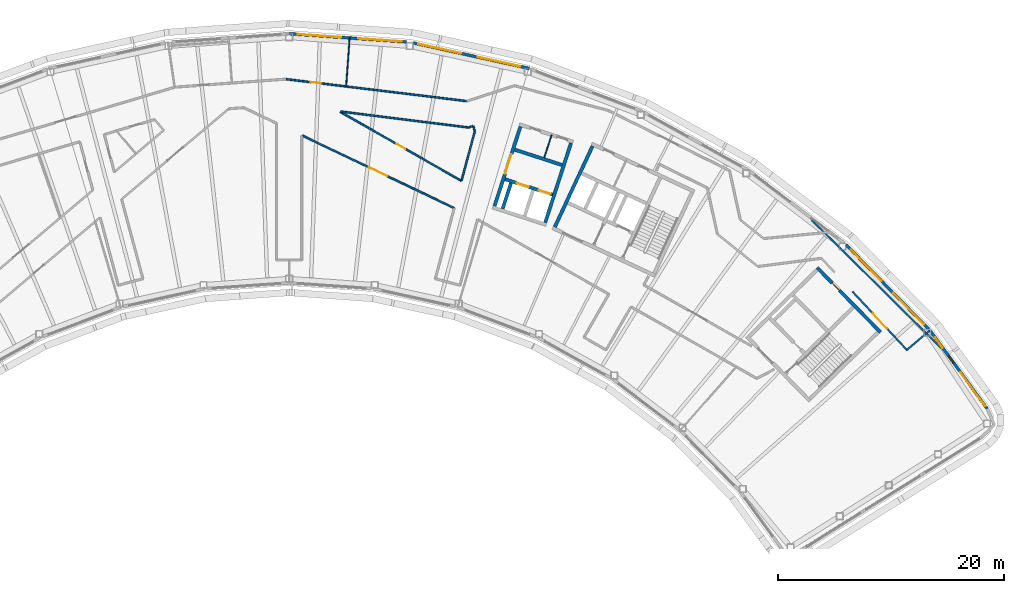
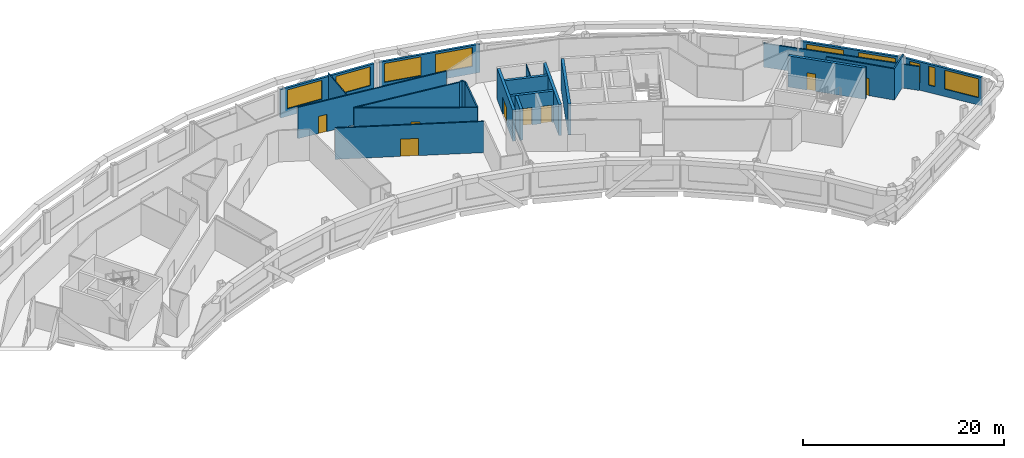
# One storey, part 9 of 17: 23 walls, 9 windows, 8 doors, 17 openings.
"""IFC4 building model written with IfcOpenShell, lengths in metres."""

from ifc_helpers import new_model, si_unit, direction, frame, frame_2d, origin, place, context, subcontext, project, spatial, rectangle, extrude, material, layer, layer_set, type_object, element, fill, save


model = new_model("IFC4")

# Units and contexts
model_context = context("Model", 3, precision=1e-05, world=origin(), true_north=direction((0.0, 1.0)))
body_context = subcontext(model_context, "Body", "Model", "MODEL_VIEW")
ifc_project = project(units=[si_unit("LENGTHUNIT", "METRE"), si_unit("AREAUNIT", "SQUARE_METRE"), si_unit("VOLUMEUNIT", "CUBIC_METRE"), si_unit("PLANEANGLEUNIT", "RADIAN"), si_unit("MASSUNIT", "GRAM", prefix="KILO")], contexts=[model_context])

# Site, building, storey
site_placement = place(None, origin())
site = spatial("IfcSite", under=ifc_project, at=site_placement, CompositionType="ELEMENT")
building_placement = place(site_placement, origin())
building = spatial("IfcBuilding", under=site, at=building_placement, Name="Tuul Gate Civic Tower", CompositionType="ELEMENT")
storey_placement = place(building_placement, frame((0.0, 0.0, 344.89990234375)))
storey = spatial("IfcBuildingStorey", under=building, at=storey_placement, Name="Level 78", CompositionType="ELEMENT", Elevation=344.89990234375)

# Wall, opening, door
ifc_material_1 = material(Name="Concrete C50/60", Category="concrete")
ifc_layer_1 = layer(ifc_material_1, 0.300048828125)
ifc_layer_set_1 = layer_set([ifc_layer_1], Name="Concrete C50/60")
wall_type_1 = type_object("IfcWallType", Name="Core wall C50/60", PredefinedType="SHEAR", material=ifc_layer_set_1)
wall_1_placement = place(storey_placement, frame((54.43798828125, -12.23779296875, 0.0), z_axis=(0.0, 0.0, 1.0), x_axis=(-0.700021979774, 0.714121297703, 0.0)))
wall_1 = element("IfcWall", 1, at=wall_1_placement, inside=storey, type_object=wall_type_1, Name="Core wall", PredefinedType="SHEAR", context=body_context, shape_type="SweptSolid", body=[
    extrude(rectangle(XDim=8.0, YDim=0.300048828125, at=frame_2d((4.0, 0.0))), origin(), (0.0, 0.0, 1.0), 3.800048828125),
])
opening_1_placement = place(wall_1_placement, frame((5.175048828125, 0.0, 0.0)))
opening_1 = element("IfcOpeningElement", 2, at=opening_1_placement, cuts=wall_1, Name="Opening AC-D20", PredefinedType="OPENING", context=body_context, shape_type="SweptSolid", body=[
    extrude(rectangle(XDim=0.89990234375, YDim=2.10009765625, at=frame_2d((0.449951171875, 1.050048828125))), frame((0.0, 0.16015625, 0.0), z_axis=(0.0, -1.0, 0.0), x_axis=(1.0, 0.0, 0.0)), (0.0, 0.0, 1.0), 0.320068359375),
])
ifc_material_2 = material(Name="Timber door leaf", Category="wood")
door_type_1 = type_object("IfcDoorType", Name="Door D09", OperationType="NOTDEFINED", PredefinedType="DOOR", material=ifc_material_2)
door_1_placement = place(opening_1_placement, origin())
door_1 = element("IfcDoor", 3, at=door_1_placement, inside=storey, type_object=door_type_1, Name="Door AC-D20", OperationType="SINGLE_SWING_LEFT", OverallHeight=2.10009765625, OverallWidth=0.89990234375, PredefinedType="DOOR", context=body_context, shape_type="SweptSolid", body=[
    extrude(rectangle(XDim=0.89990234375, YDim=2.10009765625, at=frame_2d((0.449951171875, 1.050048828125))), frame((0.0, 0.02490234375, 0.0), z_axis=(0.0, -1.0, 0.0), x_axis=(1.0, 0.0, 0.0)), (0.0, 0.0, 1.0), 0.050048828125),
])
fill(opening_1, door_1)

# Walls
wall_2_placement = place(storey_placement, frame((25.66455078125, -2.951416015625, 0.0), z_axis=(0.0, 0.0, 1.0), x_axis=(0.422582604137, 0.906324413596, 0.0)))
element("IfcWall", 4, at=wall_2_placement, inside=storey, type_object=wall_type_1, Name="Core wall", PredefinedType="SHEAR", context=body_context, shape_type="SweptSolid", body=[
    extrude(rectangle(XDim=7.89990234375, YDim=0.300048828125, at=frame_2d((3.949951171875, 0.0))), origin(), (0.0, 0.0, 1.0), 3.800048828125),
])
ifc_material_3 = material(Name="Gypsum board partition")
ifc_layer_2 = layer(ifc_material_3, 0.14990234375)
ifc_layer_set_2 = layer_set([ifc_layer_2], Name="Gypsum board partition")
wall_type_2 = type_object("IfcWallType", Name="Corridor wall P150", PredefinedType="PARTITIONING", material=ifc_layer_set_2)
wall_3_placement = place(storey_placement, frame((56.7763671875, -13.803466796875, 0.0), z_axis=(0.0, 0.0, 1.0), x_axis=(0.762693333257, 0.646760295168, 0.0)))
element("IfcWall", 5, at=wall_3_placement, inside=storey, type_object=wall_type_2, Name="p005", PredefinedType="PARTITIONING", context=body_context, shape_type="SweptSolid", body=[
    extrude(rectangle(XDim=2.674560546875, YDim=0.14990234375, at=frame_2d((1.33740234375, 0.0))), origin(), (0.0, 0.0, 1.0), 3.800048828125),
])

# Wall, opening, door
wall_4_placement = place(storey_placement, frame((1.888916015625, 10.12109375, 0.0), z_axis=(0.0, 0.0, 1.0), x_axis=(0.99270352704, -0.120580709079, 0.0)))
wall_4 = element("IfcWall", 6, at=wall_4_placement, inside=storey, type_object=wall_type_2, Name="p014", PredefinedType="PARTITIONING", context=body_context, shape_type="SweptSolid", body=[
    extrude(rectangle(XDim=16.140869140625, YDim=0.14990234375, at=frame_2d((8.0703125, 0.0))), origin(), (0.0, 0.0, 1.0), 3.800048828125),
])
opening_2_placement = place(wall_4_placement, frame((2.23974609375, 0.0, 0.0)))
opening_2 = element("IfcOpeningElement", 7, at=opening_2_placement, cuts=wall_4, Name="Opening AC-D02", PredefinedType="OPENING", context=body_context, shape_type="SweptSolid", body=[
    extrude(rectangle(XDim=0.89990234375, YDim=2.10009765625, at=frame_2d((0.449951171875, 1.050048828125))), frame((0.0, 0.0849609375, 0.0), z_axis=(0.0, -1.0, 0.0), x_axis=(1.0, 0.0, 0.0)), (0.0, 0.0, 1.0), 0.169921875),
])
door_2_placement = place(opening_2_placement, origin())
door_2 = element("IfcDoor", 8, at=door_2_placement, inside=storey, type_object=door_type_1, Name="Door AC-D02", OperationType="SINGLE_SWING_RIGHT", OverallHeight=2.10009765625, OverallWidth=0.89990234375, PredefinedType="DOOR", context=body_context, shape_type="SweptSolid", body=[
    extrude(rectangle(XDim=0.89990234375, YDim=2.10009765625, at=frame_2d((0.449951171875, 1.050048828125))), frame((0.0, 0.02490234375, 0.0), z_axis=(0.0, -1.0, 0.0), x_axis=(1.0, 0.0, 0.0)), (0.0, 0.0, 1.0), 0.050048828125),
])
fill(opening_2, door_2)

wall_5_placement = place(storey_placement, frame((51.96728515625, -8.64892578125, 0.0), z_axis=(0.0, 0.0, 1.0), x_axis=(0.681906636928, -0.731439224074, 0.0)))
wall_5 = element("IfcWall", 9, at=wall_5_placement, inside=storey, type_object=wall_type_2, Name="p030", PredefinedType="PARTITIONING", context=body_context, shape_type="SweptSolid", body=[
    extrude(rectangle(XDim=7.1025390625, YDim=0.14990234375, at=frame_2d((3.55126953125, 0.0))), origin(), (0.0, 0.0, 1.0), 3.800048828125),
])
opening_3_placement = place(wall_5_placement, frame((2.651123046875, 0.0, 0.0)))
opening_3 = element("IfcOpeningElement", 10, at=opening_3_placement, cuts=wall_5, Name="Opening AC-D05", PredefinedType="OPENING", context=body_context, shape_type="SweptSolid", body=[
    extrude(rectangle(XDim=1.800048828125, YDim=2.10009765625, at=frame_2d((0.89990234375, 1.050048828125))), frame((0.0, 0.0849609375, 0.0), z_axis=(0.0, -1.0, 0.0), x_axis=(1.0, 0.0, 0.0)), (0.0, 0.0, 1.0), 0.169921875),
])
ifc_material_4 = material(Name="Timber door leaf, double", Category="wood")
door_type_2 = type_object("IfcDoorType", Name="Door D18", OperationType="DOUBLE_DOOR_SINGLE_SWING", PredefinedType="DOOR", material=ifc_material_4)
door_3_placement = place(opening_3_placement, origin())
door_3 = element("IfcDoor", 11, at=door_3_placement, inside=storey, type_object=door_type_2, Name="Door AC-D05", OperationType="DOUBLE_DOOR_SINGLE_SWING", OverallHeight=2.10009765625, OverallWidth=1.800048828125, PredefinedType="DOOR", context=body_context, shape_type="SweptSolid", body=[
    extrude(rectangle(XDim=1.800048828125, YDim=2.10009765625, at=frame_2d((0.89990234375, 1.050048828125))), frame((0.0, 0.02490234375, 0.0), z_axis=(0.0, -1.0, 0.0), x_axis=(1.0, 0.0, 0.0)), (0.0, 0.0, 1.0), 0.050048828125),
])
fill(opening_3, door_3)

wall_6_placement = place(storey_placement, frame((3.345703125, 5.137451171875, 0.0), z_axis=(0.0, 0.0, 1.0), x_axis=(0.902564421803, -0.43055483332, 0.0)))
wall_6 = element("IfcWall", 12, at=wall_6_placement, inside=storey, type_object=wall_type_2, Name="p039", PredefinedType="PARTITIONING", context=body_context, shape_type="SweptSolid", body=[
    extrude(rectangle(XDim=14.87060546875, YDim=0.14990234375, at=frame_2d((7.435302734375, 0.0))), origin(), (0.0, 0.0, 1.0), 3.800048828125),
])
opening_4_placement = place(wall_6_placement, frame((6.535400390625, 0.0, 0.0)))
opening_4 = element("IfcOpeningElement", 13, at=opening_4_placement, cuts=wall_6, Name="Opening AC-D07", PredefinedType="OPENING", context=body_context, shape_type="SweptSolid", body=[
    extrude(rectangle(XDim=1.800048828125, YDim=2.10009765625, at=frame_2d((0.89990234375, 1.050048828125))), frame((0.0, 0.0849609375, 0.0), z_axis=(0.0, -1.0, 0.0), x_axis=(1.0, 0.0, 0.0)), (0.0, 0.0, 1.0), 0.169921875),
])
door_4_placement = place(opening_4_placement, frame((1.800048828125, 0.0, 0.0), z_axis=(0.0, 0.0, 1.0), x_axis=(-1.0, 0.0, 0.0)))
door_4 = element("IfcDoor", 14, at=door_4_placement, inside=storey, type_object=door_type_2, Name="Door AC-D07", OperationType="DOUBLE_DOOR_SINGLE_SWING", OverallHeight=2.10009765625, OverallWidth=1.800048828125, PredefinedType="DOOR", context=body_context, shape_type="SweptSolid", body=[
    extrude(rectangle(XDim=1.800048828125, YDim=2.10009765625, at=frame_2d((0.900146484375, 1.050048828125))), frame((0.0, 0.02490234375, 0.0), z_axis=(0.0, -1.0, 0.0), x_axis=(1.0, 0.0, 0.0)), (0.0, 0.0, 1.0), 0.050048828125),
])
fill(opening_4, door_4)

# Wall
wall_7_placement = place(storey_placement, frame((17.431396484375, 1.14990234375, 0.0), z_axis=(0.0, 0.0, 1.0), x_axis=(0.258796436374, 0.965931883996, 0.0)))
element("IfcWall", 15, at=wall_7_placement, inside=storey, type_object=wall_type_2, Name="p041", PredefinedType="PARTITIONING", context=body_context, shape_type="SweptSolid", body=[
    extrude(rectangle(XDim=4.515869140625, YDim=0.14990234375, at=frame_2d((2.2578125, 0.0))), origin(), (0.0, 0.0, 1.0), 3.800048828125),
])

# Wall, opening, door
wall_8_placement = place(storey_placement, frame((6.72119140625, 7.223876953125, 0.0), z_axis=(0.0, 0.0, 1.0), x_axis=(0.868880378033, -0.495022109274, 0.0)))
wall_8 = element("IfcWall", 16, at=wall_8_placement, inside=storey, type_object=wall_type_2, Name="p078", PredefinedType="PARTITIONING", context=body_context, shape_type="SweptSolid", body=[
    extrude(rectangle(XDim=12.293212890625, YDim=0.14990234375, at=frame_2d((6.146484375, 0.0))), origin(), (0.0, 0.0, 1.0), 3.800048828125),
])
opening_5_placement = place(wall_8_placement, frame((5.696533203125, 0.0, 0.0)))
opening_5 = element("IfcOpeningElement", 17, at=opening_5_placement, cuts=wall_8, Name="Opening AC-D14", PredefinedType="OPENING", context=body_context, shape_type="SweptSolid", body=[
    extrude(rectangle(XDim=0.89990234375, YDim=2.10009765625, at=frame_2d((0.449951171875, 1.050048828125))), frame((0.0, 0.0849609375, 0.0), z_axis=(0.0, -1.0, 0.0), x_axis=(1.0, 0.0, 0.0)), (0.0, 0.0, 1.0), 0.169921875),
])
door_5_placement = place(opening_5_placement, origin())
door_5 = element("IfcDoor", 18, at=door_5_placement, inside=storey, type_object=door_type_1, Name="Door AC-D14", OperationType="SINGLE_SWING_RIGHT", OverallHeight=2.10009765625, OverallWidth=0.89990234375, PredefinedType="DOOR", context=body_context, shape_type="SweptSolid", body=[
    extrude(rectangle(XDim=0.89990234375, YDim=2.10009765625, at=frame_2d((0.449951171875, 1.050048828125))), frame((0.0, 0.02490234375, 0.0), z_axis=(0.0, -1.0, 0.0), x_axis=(1.0, 0.0, 0.0)), (0.0, 0.0, 1.0), 0.050048828125),
])
fill(opening_5, door_5)

# Walls
wall_9_placement = place(storey_placement, frame((18.03515625, 5.84521484375, 0.0), z_axis=(0.0, 0.0, 1.0), x_axis=(0.950162769036, 0.311754249913, 0.0)))
element("IfcWall", 19, at=wall_9_placement, inside=storey, type_object=wall_type_2, Name="p085", PredefinedType="PARTITIONING", context=body_context, shape_type="SweptSolid", body=[
    extrude(rectangle(XDim=0.426025390625, YDim=0.14990234375, at=frame_2d((0.212890625, 0.0))), origin(), (0.0, 0.0, 1.0), 3.800048828125),
])
wall_10_placement = place(storey_placement, frame((18.465087890625, 5.96484375, 0.0), z_axis=(0.0, 0.0, 1.0), x_axis=(0.29219168789, -0.956359774106, 0.0)))
element("IfcWall", 20, at=wall_10_placement, inside=storey, type_object=wall_type_2, Name="p086", PredefinedType="PARTITIONING", context=body_context, shape_type="SweptSolid", body=[
    extrude(rectangle(XDim=0.462158203125, YDim=0.14990234375, at=frame_2d((0.23095703125, 0.0))), origin(), (0.0, 0.0, 1.0), 3.800048828125),
])
wall_11_placement = place(storey_placement, frame((6.73291015625, 7.259765625, 0.0), z_axis=(0.0, 0.0, 1.0), x_axis=(0.992257086235, -0.124200945314, 0.0)))
element("IfcWall", 21, at=wall_11_placement, inside=storey, type_object=wall_type_2, Name="p087", PredefinedType="PARTITIONING", context=body_context, shape_type="SweptSolid", body=[
    extrude(rectangle(XDim=11.38916015625, YDim=0.14990234375, at=frame_2d((5.694580078125, 0.0))), origin(), (0.0, 0.0, 1.0), 3.800048828125),
])
ifc_material_5 = material(Name="Gypsum board partition")
ifc_layer_3 = layer(ifc_material_5, 0.14990234375)
ifc_layer_set_3 = layer_set([ifc_layer_3], Name="Gypsum board partition")
wall_type_3 = type_object("IfcWallType", Name="Corridor wall P150 2900 HIGH", PredefinedType="PARTITIONING", material=ifc_layer_set_3)
wall_12_placement = place(storey_placement, frame((48.373291015625, -2.341796875, 0.0), z_axis=(0.0, 0.0, 1.0), x_axis=(0.711151576745, -0.703038715074, 0.0)))
element("IfcWall", 22, at=wall_12_placement, inside=storey, type_object=wall_type_3, Name="p007", PredefinedType="PARTITIONING", context=body_context, shape_type="SweptSolid", body=[
    extrude(rectangle(XDim=16.069580078125, YDim=0.14990234375, at=frame_2d((8.03466796875, 0.0))), origin(), (0.0, 0.0, 1.0), 2.900146484375),
])

# Wall, openings, windows
ifc_material_6 = material(Name="Precast concrete C40/50", Category="concrete")
ifc_layer_4 = layer(ifc_material_6, 0.25)
ifc_layer_set_4 = layer_set([ifc_layer_4], Name="Precast concrete C40/50")
wall_type_4 = type_object("IfcWallType", Name="External wall", PredefinedType="STANDARD", material=ifc_layer_set_4)
wall_13_placement = place(storey_placement, frame((63.881103515625, -19.017822265625, 0.0), z_axis=(0.0, 0.0, 1.0), x_axis=(-0.589757523793, 0.807580375647, 0.0)))
wall_13 = element("IfcWall", 23, at=wall_13_placement, inside=storey, type_object=wall_type_4, Name="External wall", PredefinedType="STANDARD", context=body_context, shape_type="SweptSolid", body=[
    extrude(rectangle(XDim=8.507080078125, YDim=0.25, at=frame_2d((4.25341796875, 0.0))), origin(), (0.0, 0.0, 1.0), 3.4501953125),
])
opening_6_placement = place(wall_13_placement, frame((0.30078125, 0.0, 0.89990234375)))
opening_6 = element("IfcOpeningElement", 24, at=opening_6_placement, cuts=wall_13, Name="Opening W21", PredefinedType="OPENING", context=body_context, shape_type="SweptSolid", body=[
    extrude(rectangle(XDim=3.699951171875, YDim=2.300048828125, at=frame_2d((1.85009765625, 1.14990234375))), frame((0.0, 0.135009765625, 0.0), z_axis=(0.0, -1.0, 0.0), x_axis=(1.0, 0.0, 0.0)), (0.0, 0.0, 1.0), 0.27001953125),
])
opening_7_placement = place(wall_13_placement, frame((5.056396484375, 0.0, 0.89990234375)))
opening_7 = element("IfcOpeningElement", 25, at=opening_7_placement, cuts=wall_13, Name="Opening W70", PredefinedType="OPENING", context=body_context, shape_type="SweptSolid", body=[
    extrude(rectangle(XDim=0.699951171875, YDim=2.300048828125, at=frame_2d((0.35009765625, 1.14990234375))), frame((0.0, 0.135009765625, 0.0), z_axis=(0.0, -1.0, 0.0), x_axis=(1.0, 0.0, 0.0)), (0.0, 0.0, 1.0), 0.27001953125),
])
opening_8_placement = place(wall_13_placement, frame((6.678955078125, 0.0, 0.89990234375)))
opening_8 = element("IfcOpeningElement", 26, at=opening_8_placement, cuts=wall_13, Name="Opening W43", PredefinedType="OPENING", context=body_context, shape_type="SweptSolid", body=[
    extrude(rectangle(XDim=1.14990234375, YDim=2.300048828125, at=frame_2d((0.574951171875, 1.14990234375))), frame((0.0, 0.135009765625, 0.0), z_axis=(0.0, -1.0, 0.0), x_axis=(1.0, 0.0, 0.0)), (0.0, 0.0, 1.0), 0.27001953125),
])
ifc_material_7 = material(Name="Glass", Category="glass")
window_type_1 = type_object("IfcWindowType", Name="Window 1150 x 2300", PartitioningType="SINGLE_PANEL", PredefinedType="WINDOW", material=ifc_material_7)
window_1_placement = place(opening_8_placement, origin())
window_1 = element("IfcWindow", 27, at=window_1_placement, inside=storey, type_object=window_type_1, Name="Window", OverallHeight=2.300048828125, OverallWidth=1.14990234375, PartitioningType="SINGLE_PANEL", PredefinedType="WINDOW", context=body_context, shape_type="SweptSolid", body=[
    extrude(rectangle(XDim=1.14990234375, YDim=2.300048828125, at=frame_2d((0.574951171875, 1.14990234375))), frame((0.0, 0.030029296875, 0.0), z_axis=(0.0, -1.0, 0.0), x_axis=(1.0, 0.0, 0.0)), (0.0, 0.0, 1.0), 0.06005859375),
])
fill(opening_8, window_1)
ifc_material_8 = material(Name="Glass", Category="glass")
window_type_2 = type_object("IfcWindowType", Name="Window 700 x 2300", PartitioningType="SINGLE_PANEL", PredefinedType="WINDOW", material=ifc_material_8)
window_2_placement = place(opening_7_placement, origin())
window_2 = element("IfcWindow", 28, at=window_2_placement, inside=storey, type_object=window_type_2, Name="Window", OverallHeight=2.300048828125, OverallWidth=0.699951171875, PartitioningType="SINGLE_PANEL", PredefinedType="WINDOW", context=body_context, shape_type="SweptSolid", body=[
    extrude(rectangle(XDim=0.699951171875, YDim=2.300048828125, at=frame_2d((0.35009765625, 1.14990234375))), frame((0.0, 0.030029296875, 0.0), z_axis=(0.0, -1.0, 0.0), x_axis=(1.0, 0.0, 0.0)), (0.0, 0.0, 1.0), 0.06005859375),
])
fill(opening_7, window_2)
ifc_material_9 = material(Name="Glass", Category="glass")
window_type_3 = type_object("IfcWindowType", Name="Window W21 3700 x 2300", PartitioningType="SINGLE_PANEL", PredefinedType="WINDOW", material=ifc_material_9)
window_3_placement = place(opening_6_placement, origin())
window_3 = element("IfcWindow", 29, at=window_3_placement, inside=storey, type_object=window_type_3, Name="Window", OverallHeight=2.300048828125, OverallWidth=3.699951171875, PartitioningType="SINGLE_PANEL", PredefinedType="WINDOW", context=body_context, shape_type="SweptSolid", body=[
    extrude(rectangle(XDim=3.699951171875, YDim=2.300048828125, at=frame_2d((1.85009765625, 1.14990234375))), frame((0.0, 0.030029296875, 0.0), z_axis=(0.0, -1.0, 0.0), x_axis=(1.0, 0.0, 0.0)), (0.0, 0.0, 1.0), 0.06005859375),
])
fill(opening_6, window_3)

wall_14_placement = place(storey_placement, frame((58.708984375, -11.971435546875, 0.0), z_axis=(0.0, 0.0, 1.0), x_axis=(-0.700054834418, 0.714089090246, 0.0)))
wall_14 = element("IfcWall", 30, at=wall_14_placement, inside=storey, type_object=wall_type_4, Name="External wall", PredefinedType="STANDARD", context=body_context, shape_type="SweptSolid", body=[
    extrude(rectangle(XDim=10.455078125, YDim=0.25, at=frame_2d((5.2275390625, 0.0))), origin(), (0.0, 0.0, 1.0), 3.4501953125),
])
opening_9_placement = place(wall_14_placement, frame((0.603759765625, 0.0, 0.89990234375)))
opening_9 = element("IfcOpeningElement", 31, at=opening_9_placement, cuts=wall_14, Name="Opening W22", PredefinedType="OPENING", context=body_context, shape_type="SweptSolid", body=[
    extrude(rectangle(XDim=3.85009765625, YDim=2.300048828125, at=frame_2d((1.925048828125, 1.14990234375))), frame((0.0, 0.135009765625, 0.0), z_axis=(0.0, -1.0, 0.0), x_axis=(1.0, 0.0, 0.0)), (0.0, 0.0, 1.0), 0.27001953125),
])
opening_10_placement = place(wall_14_placement, frame((5.974853515625, 0.0, 0.89990234375)))
opening_10 = element("IfcOpeningElement", 32, at=opening_10_placement, cuts=wall_14, Name="Opening W22", PredefinedType="OPENING", context=body_context, shape_type="SweptSolid", body=[
    extrude(rectangle(XDim=3.85009765625, YDim=2.300048828125, at=frame_2d((1.925048828125, 1.14990234375))), frame((0.0, 0.135009765625, 0.0), z_axis=(0.0, -1.0, 0.0), x_axis=(1.0, 0.0, 0.0)), (0.0, 0.0, 1.0), 0.27001953125),
])
ifc_material_10 = material(Name="Glass", Category="glass")
window_type_4 = type_object("IfcWindowType", Name="Window W22 3850 x 2300", PartitioningType="SINGLE_PANEL", PredefinedType="WINDOW", material=ifc_material_10)
window_4_placement = place(opening_9_placement, origin())
window_4 = element("IfcWindow", 33, at=window_4_placement, inside=storey, type_object=window_type_4, Name="Window", OverallHeight=2.300048828125, OverallWidth=3.85009765625, PartitioningType="SINGLE_PANEL", PredefinedType="WINDOW", context=body_context, shape_type="SweptSolid", body=[
    extrude(rectangle(XDim=3.85009765625, YDim=2.300048828125, at=frame_2d((1.925048828125, 1.14990234375))), frame((0.0, 0.030029296875, 0.0), z_axis=(0.0, -1.0, 0.0), x_axis=(1.0, 0.0, 0.0)), (0.0, 0.0, 1.0), 0.06005859375),
])
fill(opening_9, window_4)
window_5_placement = place(opening_10_placement, origin())
window_5 = element("IfcWindow", 34, at=window_5_placement, inside=storey, type_object=window_type_4, Name="Window", OverallHeight=2.300048828125, OverallWidth=3.85009765625, PartitioningType="SINGLE_PANEL", PredefinedType="WINDOW", context=body_context, shape_type="SweptSolid", body=[
    extrude(rectangle(XDim=3.85009765625, YDim=2.300048828125, at=frame_2d((1.925048828125, 1.14990234375))), frame((0.0, 0.030029296875, 0.0), z_axis=(0.0, -1.0, 0.0), x_axis=(1.0, 0.0, 0.0)), (0.0, 0.0, 1.0), 0.06005859375),
])
fill(opening_10, window_5)

wall_15_placement = place(storey_placement, frame((23.419677734375, 11.05810546875, 0.0), z_axis=(0.0, 0.0, 1.0), x_axis=(-0.976567595221, 0.21521090113, 0.0)))
wall_15 = element("IfcWall", 35, at=wall_15_placement, inside=storey, type_object=wall_type_4, Name="External wall", PredefinedType="STANDARD", context=body_context, shape_type="SweptSolid", body=[
    extrude(rectangle(XDim=10.525146484375, YDim=0.25, at=frame_2d((5.2626953125, 0.0))), origin(), (0.0, 0.0, 1.0), 3.4501953125),
])
opening_11_placement = place(wall_15_placement, frame((0.8115234375, 0.0, 0.89990234375)))
opening_11 = element("IfcOpeningElement", 36, at=opening_11_placement, cuts=wall_15, Name="Opening W22", PredefinedType="OPENING", context=body_context, shape_type="SweptSolid", body=[
    extrude(rectangle(XDim=3.85009765625, YDim=2.300048828125, at=frame_2d((1.925048828125, 1.14990234375))), frame((0.0, 0.135009765625, 0.0), z_axis=(0.0, -1.0, 0.0), x_axis=(1.0, 0.0, 0.0)), (0.0, 0.0, 1.0), 0.27001953125),
])
opening_12_placement = place(wall_15_placement, frame((6.182861328125, 0.0, 0.89990234375)))
opening_12 = element("IfcOpeningElement", 37, at=opening_12_placement, cuts=wall_15, Name="Opening W22", PredefinedType="OPENING", context=body_context, shape_type="SweptSolid", body=[
    extrude(rectangle(XDim=3.85009765625, YDim=2.300048828125, at=frame_2d((1.925048828125, 1.14990234375))), frame((0.0, 0.135009765625, 0.0), z_axis=(0.0, -1.0, 0.0), x_axis=(1.0, 0.0, 0.0)), (0.0, 0.0, 1.0), 0.27001953125),
])
window_6_placement = place(opening_11_placement, origin())
window_6 = element("IfcWindow", 38, at=window_6_placement, inside=storey, type_object=window_type_4, Name="Window", OverallHeight=2.300048828125, OverallWidth=3.85009765625, PartitioningType="SINGLE_PANEL", PredefinedType="WINDOW", context=body_context, shape_type="SweptSolid", body=[
    extrude(rectangle(XDim=3.85009765625, YDim=2.300048828125, at=frame_2d((1.925048828125, 1.14990234375))), frame((0.0, 0.030029296875, 0.0), z_axis=(0.0, -1.0, 0.0), x_axis=(1.0, 0.0, 0.0)), (0.0, 0.0, 1.0), 0.06005859375),
])
fill(opening_11, window_6)
window_7_placement = place(opening_12_placement, origin())
window_7 = element("IfcWindow", 39, at=window_7_placement, inside=storey, type_object=window_type_4, Name="Window", OverallHeight=2.300048828125, OverallWidth=3.85009765625, PartitioningType="SINGLE_PANEL", PredefinedType="WINDOW", context=body_context, shape_type="SweptSolid", body=[
    extrude(rectangle(XDim=3.85009765625, YDim=2.300048828125, at=frame_2d((1.925048828125, 1.14990234375))), frame((0.0, 0.030029296875, 0.0), z_axis=(0.0, -1.0, 0.0), x_axis=(1.0, 0.0, 0.0)), (0.0, 0.0, 1.0), 0.06005859375),
])
fill(opening_12, window_7)

wall_16_placement = place(storey_placement, frame((12.54443359375, 13.40380859375, 0.0), z_axis=(0.0, 0.0, 1.0), x_axis=(-0.997539723887, 0.070103489699, 0.0)))
wall_16 = element("IfcWall", 40, at=wall_16_placement, inside=storey, type_object=wall_type_4, Name="External wall", PredefinedType="STANDARD", context=body_context, shape_type="SweptSolid", body=[
    extrude(rectangle(XDim=10.378173828125, YDim=0.25, at=frame_2d((5.18896484375, 0.0))), origin(), (0.0, 0.0, 1.0), 3.4501953125),
])
opening_13_placement = place(wall_16_placement, frame((0.406982421875, 0.0, 0.89990234375)))
opening_13 = element("IfcOpeningElement", 41, at=opening_13_placement, cuts=wall_16, Name="Opening W22", PredefinedType="OPENING", context=body_context, shape_type="SweptSolid", body=[
    extrude(rectangle(XDim=3.85009765625, YDim=2.300048828125, at=frame_2d((1.925048828125, 1.14990234375))), frame((0.0, 0.135009765625, 0.0), z_axis=(0.0, -1.0, 0.0), x_axis=(1.0, 0.0, 0.0)), (0.0, 0.0, 1.0), 0.27001953125),
])
opening_14_placement = place(wall_16_placement, frame((5.778076171875, 0.0, 0.89990234375)))
opening_14 = element("IfcOpeningElement", 42, at=opening_14_placement, cuts=wall_16, Name="Opening W22", PredefinedType="OPENING", context=body_context, shape_type="SweptSolid", body=[
    extrude(rectangle(XDim=3.85009765625, YDim=2.300048828125, at=frame_2d((1.925048828125, 1.14990234375))), frame((0.0, 0.135009765625, 0.0), z_axis=(0.0, -1.0, 0.0), x_axis=(1.0, 0.0, 0.0)), (0.0, 0.0, 1.0), 0.27001953125),
])
window_8_placement = place(opening_13_placement, origin())
window_8 = element("IfcWindow", 43, at=window_8_placement, inside=storey, type_object=window_type_4, Name="Window", OverallHeight=2.300048828125, OverallWidth=3.85009765625, PartitioningType="SINGLE_PANEL", PredefinedType="WINDOW", context=body_context, shape_type="SweptSolid", body=[
    extrude(rectangle(XDim=3.85009765625, YDim=2.300048828125, at=frame_2d((1.925048828125, 1.14990234375))), frame((0.0, 0.030029296875, 0.0), z_axis=(0.0, -1.0, 0.0), x_axis=(1.0, 0.0, 0.0)), (0.0, 0.0, 1.0), 0.06005859375),
])
fill(opening_13, window_8)
window_9_placement = place(opening_14_placement, origin())
window_9 = element("IfcWindow", 44, at=window_9_placement, inside=storey, type_object=window_type_4, Name="Window", OverallHeight=2.300048828125, OverallWidth=3.85009765625, PartitioningType="SINGLE_PANEL", PredefinedType="WINDOW", context=body_context, shape_type="SweptSolid", body=[
    extrude(rectangle(XDim=3.85009765625, YDim=2.300048828125, at=frame_2d((1.925048828125, 1.14990234375))), frame((0.0, 0.030029296875, 0.0), z_axis=(0.0, -1.0, 0.0), x_axis=(1.0, 0.0, 0.0)), (0.0, 0.0, 1.0), 0.06005859375),
])
fill(opening_14, window_9)

# Wall, openings, doors
ifc_material_11 = material(Name="Concrete C40/50", Category="concrete")
ifc_layer_5 = layer(ifc_material_11, 0.300048828125)
ifc_layer_set_5 = layer_set([ifc_layer_5], Name="Concrete C40/50")
wall_type_5 = type_object("IfcWallType", Name="Lift shaft wall C40/50", PredefinedType="STANDARD", material=ifc_layer_set_5)
wall_17_placement = place(storey_placement, frame((25.460693359375, -0.0859375, 0.0), z_axis=(0.0, 0.0, 1.0), x_axis=(-0.951063829732, 0.308994485023, 0.0)))
wall_17 = element("IfcWall", 45, at=wall_17_placement, inside=storey, type_object=wall_type_5, Name="Shaft wall", PredefinedType="STANDARD", context=body_context, shape_type="SweptSolid", body=[
    extrude(rectangle(XDim=4.400146484375, YDim=0.300048828125, at=frame_2d((2.2001953125, 0.0))), origin(), (0.0, 0.0, 1.0), 3.800048828125),
])
opening_15_placement = place(wall_17_placement, frame((0.175048828125, 0.0, 0.0)))
opening_15 = element("IfcOpeningElement", 46, at=opening_15_placement, cuts=wall_17, Name="Opening LD-H2", PredefinedType="OPENING", context=body_context, shape_type="SweptSolid", body=[
    extrude(rectangle(XDim=1.10009765625, YDim=2.10009765625, at=frame_2d((0.550048828125, 1.050048828125))), frame((0.0, 0.16015625, 0.0), z_axis=(0.0, -1.0, 0.0), x_axis=(1.0, 0.0, 0.0)), (0.0, 0.0, 1.0), 0.320068359375),
])
opening_16_placement = place(wall_17_placement, frame((2.22509765625, 0.0, 0.0)))
opening_16 = element("IfcOpeningElement", 47, at=opening_16_placement, cuts=wall_17, Name="Opening LD-H3", PredefinedType="OPENING", context=body_context, shape_type="SweptSolid", body=[
    extrude(rectangle(XDim=1.10009765625, YDim=2.10009765625, at=frame_2d((0.550048828125, 1.050048828125))), frame((0.0, 0.16015625, 0.0), z_axis=(0.0, -1.0, 0.0), x_axis=(1.0, 0.0, 0.0)), (0.0, 0.0, 1.0), 0.320068359375),
])
ifc_material_12 = material(Name="Stainless steel", Category="steel")
door_type_3 = type_object("IfcDoorType", Name="Landing door", OperationType="DOUBLE_DOOR_SLIDING", PredefinedType="DOOR", material=ifc_material_12)
door_6_placement = place(opening_15_placement, origin())
door_6 = element("IfcDoor", 48, at=door_6_placement, inside=storey, type_object=door_type_3, Name="High-rise lift H2 landing door", OperationType="DOUBLE_DOOR_SLIDING", OverallHeight=2.10009765625, OverallWidth=1.10009765625, PredefinedType="DOOR", context=body_context, shape_type="SweptSolid", body=[
    extrude(rectangle(XDim=1.10009765625, YDim=2.10009765625, at=frame_2d((0.550048828125, 1.050048828125))), frame((0.0, 0.02490234375, 0.0), z_axis=(0.0, -1.0, 0.0), x_axis=(1.0, 0.0, 0.0)), (0.0, 0.0, 1.0), 0.050048828125),
])
fill(opening_15, door_6)
door_7_placement = place(opening_16_placement, origin())
door_7 = element("IfcDoor", 49, at=door_7_placement, inside=storey, type_object=door_type_3, Name="High-rise lift H3 landing door", OperationType="DOUBLE_DOOR_SLIDING", OverallHeight=2.10009765625, OverallWidth=1.10009765625, PredefinedType="DOOR", context=body_context, shape_type="SweptSolid", body=[
    extrude(rectangle(XDim=1.10009765625, YDim=2.10009765625, at=frame_2d((0.550048828125, 1.050048828125))), frame((0.0, 0.02490234375, 0.0), z_axis=(0.0, -1.0, 0.0), x_axis=(1.0, 0.0, 0.0)), (0.0, 0.0, 1.0), 0.050048828125),
])
fill(opening_16, door_7)

# Walls
wall_18_placement = place(storey_placement, frame((26.310546875, 2.529541015625, 0.0), z_axis=(0.0, 0.0, 1.0), x_axis=(-0.951058531764, 0.30901079133, 0.0)))
element("IfcWall", 50, at=wall_18_placement, inside=storey, type_object=wall_type_5, Name="Shaft wall", PredefinedType="STANDARD", context=body_context, shape_type="SweptSolid", body=[
    extrude(rectangle(XDim=4.39990234375, YDim=0.300048828125, at=frame_2d((2.199951171875, 0.0))), origin(), (0.0, 0.0, 1.0), 3.800048828125),
])
wall_19_placement = place(storey_placement, frame((24.815185546875, -2.557373046875, 0.0), z_axis=(0.0, 0.0, 1.0), x_axis=(0.30907264409, 0.951038432807, 0.0)))
element("IfcWall", 51, at=wall_19_placement, inside=storey, type_object=wall_type_5, Name="Shaft wall", PredefinedType="STANDARD", context=body_context, shape_type="SweptSolid", body=[
    extrude(rectangle(XDim=7.39990234375, YDim=0.300048828125, at=frame_2d((3.699951171875, 0.0))), origin(), (0.0, 0.0, 1.0), 3.800048828125),
])
wall_20_placement = place(storey_placement, frame((21.058349609375, -1.336669921875, 0.0), z_axis=(0.0, 0.0, 1.0), x_axis=(0.309138975195, 0.951016873675, 0.0)))
element("IfcWall", 52, at=wall_20_placement, inside=storey, type_object=wall_type_5, Name="Shaft wall", PredefinedType="STANDARD", context=body_context, shape_type="SweptSolid", body=[
    extrude(rectangle(XDim=2.400146484375, YDim=0.300048828125, at=frame_2d((1.2001953125, 0.0))), origin(), (0.0, 0.0, 1.0), 3.800048828125),
])

# Wall, opening, door
wall_21_placement = place(storey_placement, frame((20.34521484375, -1.10498046875, 0.0), z_axis=(0.0, 0.0, 1.0), x_axis=(0.30907264409, 0.951038432807, 0.0)))
wall_21 = element("IfcWall", 53, at=wall_21_placement, inside=storey, type_object=wall_type_5, Name="Shaft wall", PredefinedType="STANDARD", context=body_context, shape_type="SweptSolid", body=[
    extrude(rectangle(XDim=7.39990234375, YDim=0.300048828125, at=frame_2d((3.699951171875, 0.0))), origin(), (0.0, 0.0, 1.0), 3.800048828125),
])
opening_17_placement = place(wall_21_placement, frame((3.02490234375, 0.0, 0.0)))
opening_17 = element("IfcOpeningElement", 54, at=opening_17_placement, cuts=wall_21, Name="Opening LB-E4-LOBBY-1", PredefinedType="OPENING", context=body_context, shape_type="SweptSolid", body=[
    extrude(rectangle(XDim=1.800048828125, YDim=2.10009765625, at=frame_2d((0.89990234375, 1.050048828125))), frame((0.0, 0.16015625, 0.0), z_axis=(0.0, -1.0, 0.0), x_axis=(1.0, 0.0, 0.0)), (0.0, 0.0, 1.0), 0.320068359375),
])
ifc_material_13 = material(Name="Steel", Category="steel")
door_type_4 = type_object("IfcDoorType", Name="Lobby door", OperationType="DOUBLE_DOOR_SINGLE_SWING", PredefinedType="DOOR", material=ifc_material_13)
door_8_placement = place(opening_17_placement, frame((1.800048828125, 0.0, 0.0), z_axis=(0.0, 0.0, 1.0), x_axis=(-1.0, 0.0, 0.0)))
door_8 = element("IfcDoor", 55, at=door_8_placement, inside=storey, type_object=door_type_4, Name="Lobby door E4-LOBBY", OperationType="DOUBLE_DOOR_SINGLE_SWING", OverallHeight=2.10009765625, OverallWidth=1.800048828125, PredefinedType="DOOR", context=body_context, shape_type="SweptSolid", body=[
    extrude(rectangle(XDim=1.800048828125, YDim=2.10009765625, at=frame_2d((0.900146484375, 1.050048828125))), frame((0.0, 0.02490234375, 0.0), z_axis=(0.0, -1.0, 0.0), x_axis=(1.0, 0.0, 0.0)), (0.0, 0.0, 1.0), 0.050048828125),
])
fill(opening_17, door_8)

# Walls
ifc_material_14 = material(Name="Gypsum board partition")
ifc_layer_6 = layer(ifc_material_14, 0.10009765625)
ifc_layer_set_6 = layer_set([ifc_layer_6], Name="Gypsum board partition")
wall_type_6 = type_object("IfcWallType", Name="Partition P100", PredefinedType="PARTITIONING", material=ifc_layer_set_6)
wall_22_placement = place(storey_placement, frame((7.229248046875, 9.472412109375, 0.0), z_axis=(0.0, 0.0, 1.0), x_axis=(0.072221178859, 0.997388641064, 0.0)))
element("IfcWall", 56, at=wall_22_placement, inside=storey, type_object=wall_type_6, Name="p001", PredefinedType="PARTITIONING", context=body_context, shape_type="SweptSolid", body=[
    extrude(rectangle(XDim=4.31005859375, YDim=0.10009765625, at=frame_2d((2.155029296875, 0.0))), origin(), (0.0, 0.0, 1.0), 3.800048828125),
])
wall_23_placement = place(storey_placement, frame((24.740234375, 3.197509765625, 0.0), z_axis=(0.0, 0.0, 1.0), x_axis=(0.309138649025, 0.951016979701, 0.0)))
element("IfcWall", 57, at=wall_23_placement, inside=storey, type_object=wall_type_6, Name="bE4-BAND-0", PredefinedType="PARTITIONING", context=body_context, shape_type="SweptSolid", body=[
    extrude(rectangle(XDim=2.099853515625, YDim=0.10009765625, at=frame_2d((1.0498046875, 0.0))), origin(), (0.0, 0.0, 1.0), 3.800048828125),
])

save(model, "model.ifc")
